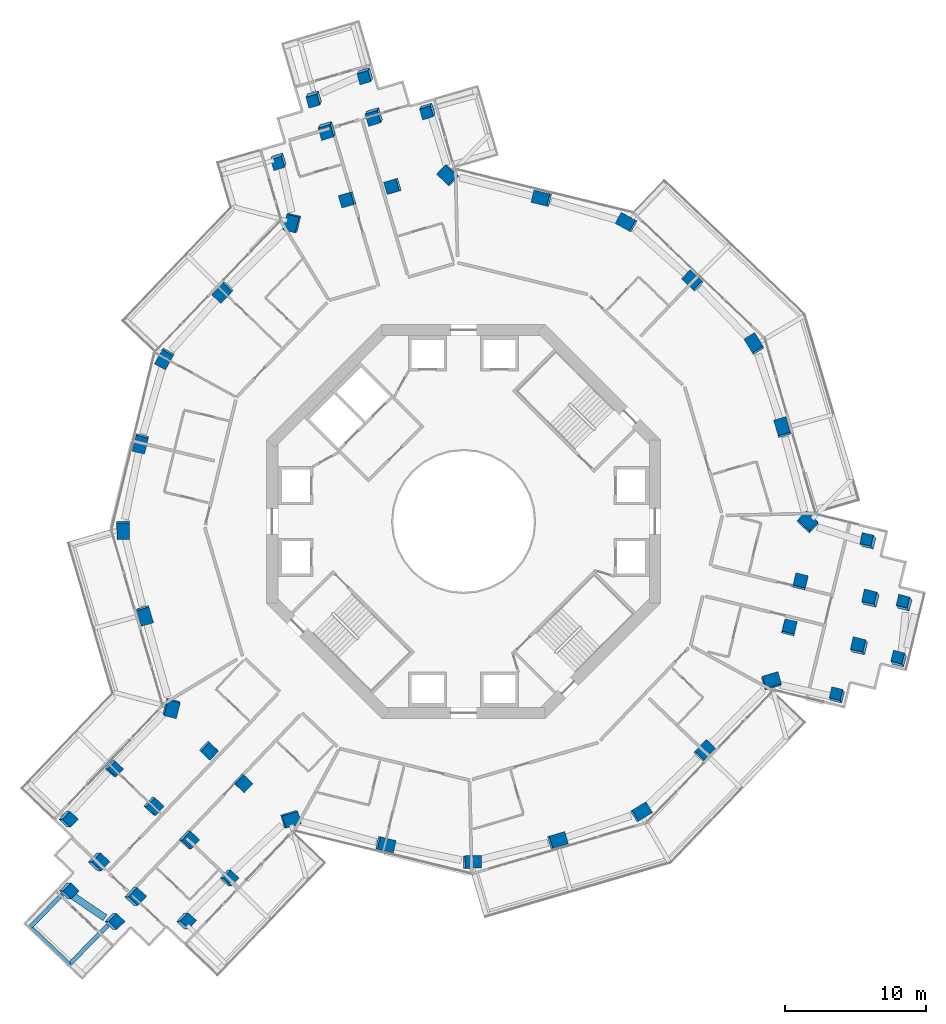
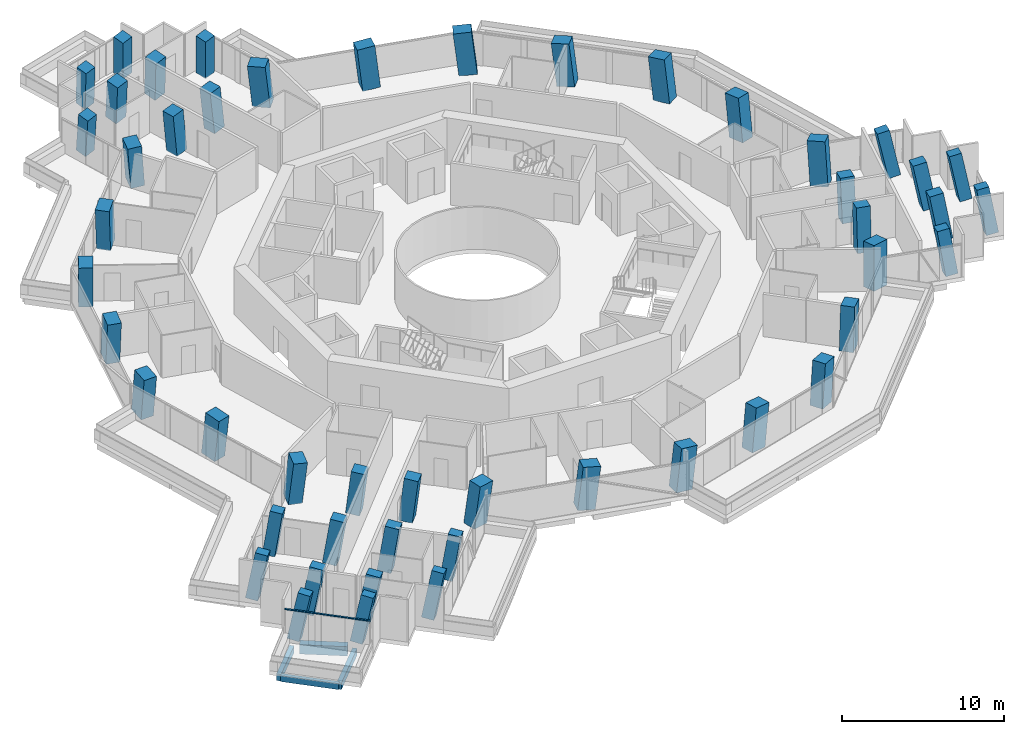
# One storey, part 1 of 25: 49 columns, 4 beams, 1 member, 1 element without a shape of its own.
"""IFC4 building model written with IfcOpenShell, lengths in metres."""

from ifc_helpers import new_model, si_unit, direction, frame, origin, origin_2d, place, context, subcontext, project, spatial, rectangle, extrude, material, layer, layer_set, material_profile, profile_set, type_object, element, aggregate, save


model = new_model("IFC4")

# Units and contexts
model_context = context("Model", 3, precision=1e-05, world=origin(), true_north=direction((0.0, 1.0)))
body_context = subcontext(model_context, "Body", "Model", "MODEL_VIEW")
ifc_project = project(units=[si_unit("LENGTHUNIT", "METRE"), si_unit("AREAUNIT", "SQUARE_METRE"), si_unit("VOLUMEUNIT", "CUBIC_METRE"), si_unit("PLANEANGLEUNIT", "RADIAN"), si_unit("MASSUNIT", "GRAM", prefix="KILO")], contexts=[model_context])

# Site, building, storey
site_placement = place(None, origin())
site = spatial("IfcSite", under=ifc_project, at=site_placement, CompositionType="ELEMENT")
building_placement = place(site_placement, origin())
building = spatial("IfcBuilding", under=site, at=building_placement, Name="Verdalira Terraces Hotel", CompositionType="ELEMENT")
storey_placement = place(building_placement, frame((0.0, 0.0, 100.0)))
storey = spatial("IfcBuildingStorey", under=building, at=storey_placement, Name="L23", CompositionType="ELEMENT", Elevation=100.0)

# Columns
ifc_material_1 = material(Name="Concrete C80", Category="concrete")
ifc_material_profile_1 = material_profile(ifc_material_1, rectangle(XDim=1.149902, YDim=0.899902, at=origin_2d()), Name="RC 1150X900")
ifc_profile_set_1 = profile_set([ifc_material_profile_1], Name="Concrete C80")
column_type_1 = type_object("IfcColumnType", Name="Column RC 1150X900 C80", PredefinedType="COLUMN", material=ifc_profile_set_1)
column_1_placement = place(storey_placement, frame((-12.134766, 21.230469, 0.0), z_axis=(-0.100492101, -0.058531708, 0.993214668), x_axis=(0.229352652, 0.970019569, 0.080370372)))
element("IfcColumn", 1, at=column_1_placement, inside=storey, type_object=column_type_1, Name="Column C03", PredefinedType="COLUMN", context=body_context, shape_type="SweptSolid", body=[
    extrude(rectangle(XDim=1.149902, YDim=0.899902, at=origin_2d()), origin(), (0.0, 0.0, 1.0), 3.21167),
])
column_2_placement = place(storey_placement, frame((-17.07373, 16.304688, 0.0), z_axis=(-0.076886597, -0.0819059, 0.993669902), x_axis=(-0.686204712, -0.718682033, -0.112335337)))
element("IfcColumn", 2, at=column_2_placement, inside=storey, type_object=column_type_1, Name="Column C04", PredefinedType="COLUMN", context=body_context, shape_type="SweptSolid", body=[
    extrude(rectangle(XDim=1.149902, YDim=0.899902, at=origin_2d()), origin(), (0.0, 0.0, 1.0), 3.210205),
])
column_3_placement = place(storey_placement, frame((-21.224609, 11.610596, 0.0), z_axis=(-0.054358694, -0.101418877, 0.993357611), x_axis=(0.47668315, 0.871512169, 0.115063959)))
element("IfcColumn", 3, at=column_3_placement, inside=storey, type_object=column_type_1, Name="Column C05", PredefinedType="COLUMN", context=body_context, shape_type="SweptSolid", body=[
    extrude(rectangle(XDim=1.149902, YDim=0.899902, at=origin_2d()), origin(), (0.0, 0.0, 1.0), 3.211182),
])
column_4_placement = place(storey_placement, frame((-22.938721, 5.583252, 0.0), z_axis=(-0.025629126, -0.109285026, 0.993679994), x_axis=(-0.235079586, -0.965473156, -0.112246039)))
element("IfcColumn", 4, at=column_4_placement, inside=storey, type_object=column_type_1, Name="Column C06", PredefinedType="COLUMN", context=body_context, shape_type="SweptSolid", body=[
    extrude(rectangle(XDim=1.149902, YDim=0.899902, at=origin_2d()), origin(), (0.0, 0.0, 1.0), 3.210205),
])
column_5_placement = place(storey_placement, frame((-24.186279, -0.557373, 0.0), z_axis=(0.003573254, -0.114952338, 0.993364582), x_axis=(-0.022433132, 0.993111719, 0.115003771)))
element("IfcColumn", 5, at=column_5_placement, inside=storey, type_object=column_type_1, Name="Column C07", PredefinedType="COLUMN", context=body_context, shape_type="SweptSolid", body=[
    extrude(rectangle(XDim=1.149902, YDim=0.899902, at=origin_2d()), origin(), (0.0, 0.0, 1.0), 3.211182),
])
column_6_placement = place(storey_placement, frame((-22.656982, -6.634033, 0.0), z_axis=(0.032397695, -0.10745996, 0.993681411), x_axis=(0.278746305, -0.953784116, -0.112233498)))
element("IfcColumn", 6, at=column_6_placement, inside=storey, type_object=column_type_1, Name="Column C08", PredefinedType="COLUMN", context=body_context, shape_type="SweptSolid", body=[
    extrude(rectangle(XDim=1.149902, YDim=0.899902, at=origin_2d()), origin(), (0.0, 0.0, 1.0), 3.210205),
])
column_7_placement = place(storey_placement, frame((-20.78125, -13.218506, 0.0), z_axis=(0.063694576, -0.098278146, 0.993118526), x_axis=(0.242274469, 0.966891915, 0.080144286)))
element("IfcColumn", 7, at=column_7_placement, inside=storey, type_object=column_type_1, Name="Column C09", PredefinedType="COLUMN", context=body_context, shape_type="SweptSolid", body=[
    extrude(rectangle(XDim=1.149902, YDim=0.899902, at=origin_2d()), origin(), (0.0, 0.0, 1.0), 3.212158),
])
column_8_placement = place(storey_placement, frame((-12.318604, -21.124268, 0.0), z_axis=(0.100873219, -0.057696136, 0.993224924), x_axis=(-0.954678171, -0.286600633, 0.080309816)))
element("IfcColumn", 8, at=column_8_placement, inside=storey, type_object=column_type_1, Name="Column C16", PredefinedType="COLUMN", context=body_context, shape_type="SweptSolid", body=[
    extrude(rectangle(XDim=1.149902, YDim=0.899902, at=origin_2d()), origin(), (0.0, 0.0, 1.0), 3.21167),
])
column_9_placement = place(storey_placement, frame((-5.583252, -22.938721, 0.0), z_axis=(0.109285026, -0.025629126, 0.993679994), x_axis=(0.965473156, -0.235079586, -0.112246039)))
element("IfcColumn", 9, at=column_9_placement, inside=storey, type_object=column_type_1, Name="Column C17", PredefinedType="COLUMN", context=body_context, shape_type="SweptSolid", body=[
    extrude(rectangle(XDim=1.149902, YDim=0.899902, at=origin_2d()), origin(), (0.0, 0.0, 1.0), 3.210205),
])
column_10_placement = place(storey_placement, frame((0.557373, -24.186279, 0.0), z_axis=(0.114952338, 0.003573254, 0.993364582), x_axis=(-0.993111719, -0.022433132, 0.115003771)))
element("IfcColumn", 10, at=column_10_placement, inside=storey, type_object=column_type_1, Name="Column C18", PredefinedType="COLUMN", context=body_context, shape_type="SweptSolid", body=[
    extrude(rectangle(XDim=1.149902, YDim=0.899902, at=origin_2d()), origin(), (0.0, 0.0, 1.0), 3.211182),
])
column_11_placement = place(storey_placement, frame((6.634033, -22.656982, 0.0), z_axis=(0.10745996, 0.032397695, 0.993681411), x_axis=(0.953784116, 0.278746305, -0.112233498)))
element("IfcColumn", 11, at=column_11_placement, inside=storey, type_object=column_type_1, Name="Column C19", PredefinedType="COLUMN", context=body_context, shape_type="SweptSolid", body=[
    extrude(rectangle(XDim=1.149902, YDim=0.899902, at=origin_2d()), origin(), (0.0, 0.0, 1.0), 3.210205),
])
column_12_placement = place(storey_placement, frame((12.575684, -20.667236, 0.0), z_axis=(0.097845423, 0.060592698, 0.993355323), x_axis=(-0.848941532, -0.515804242, 0.115083708)))
element("IfcColumn", 12, at=column_12_placement, inside=storey, type_object=column_type_1, Name="Column C20", PredefinedType="COLUMN", context=body_context, shape_type="SweptSolid", body=[
    extrude(rectangle(XDim=1.149902, YDim=0.899902, at=origin_2d()), origin(), (0.0, 0.0, 1.0), 3.211182),
])
column_13_placement = place(storey_placement, frame((17.07373, -16.304688, 0.0), z_axis=(0.076886597, 0.0819059, 0.993669902), x_axis=(0.686204712, 0.718682033, -0.112335337)))
element("IfcColumn", 13, at=column_13_placement, inside=storey, type_object=column_type_1, Name="Column C21", PredefinedType="COLUMN", context=body_context, shape_type="SweptSolid", body=[
    extrude(rectangle(XDim=1.149902, YDim=0.899902, at=origin_2d()), origin(), (0.0, 0.0, 1.0), 3.210205),
])
column_14_placement = place(storey_placement, frame((21.838135, -11.387695, 0.0), z_axis=(0.053281548, 0.104282859, 0.99311941), x_axis=(-0.958545217, -0.27343881, 0.080139158)))
element("IfcColumn", 14, at=column_14_placement, inside=storey, type_object=column_type_1, Name="Column C22", PredefinedType="COLUMN", context=body_context, shape_type="SweptSolid", body=[
    extrude(rectangle(XDim=1.149902, YDim=0.899902, at=origin_2d()), origin(), (0.0, 0.0, 1.0), 3.212158),
])
column_15_placement = place(storey_placement, frame((24.453613, -0.106201, 0.0), z_axis=(-0.000532111, 0.116228153, 0.993222399), x_axis=(0.725905426, -0.683088025, 0.08032473)))
element("IfcColumn", 15, at=column_15_placement, inside=storey, type_object=column_type_1, Name="Column C27", PredefinedType="COLUMN", context=body_context, shape_type="SweptSolid", body=[
    extrude(rectangle(XDim=1.149902, YDim=0.899902, at=origin_2d()), origin(), (0.0, 0.0, 1.0), 3.21167),
])
column_16_placement = place(storey_placement, frame((22.656982, 6.634033, 0.0), z_axis=(-0.032397695, 0.10745996, 0.993681411), x_axis=(-0.278746305, 0.953784116, -0.112233498)))
element("IfcColumn", 16, at=column_16_placement, inside=storey, type_object=column_type_1, Name="Column C28", PredefinedType="COLUMN", context=body_context, shape_type="SweptSolid", body=[
    extrude(rectangle(XDim=1.149902, YDim=0.899902, at=origin_2d()), origin(), (0.0, 0.0, 1.0), 3.210205),
])
column_17_placement = place(storey_placement, frame((20.667236, 12.575684, 0.0), z_axis=(-0.060592698, 0.097845423, 0.993355323), x_axis=(0.515804242, -0.848941532, 0.115083708)))
element("IfcColumn", 17, at=column_17_placement, inside=storey, type_object=column_type_1, Name="Column C29", PredefinedType="COLUMN", context=body_context, shape_type="SweptSolid", body=[
    extrude(rectangle(XDim=1.149902, YDim=0.899902, at=origin_2d()), origin(), (0.0, 0.0, 1.0), 3.211182),
])
column_18_placement = place(storey_placement, frame((16.304688, 17.07373, 0.0), z_axis=(-0.0819059, 0.076886597, 0.993669902), x_axis=(-0.718682033, 0.686204712, -0.112335337)))
element("IfcColumn", 18, at=column_18_placement, inside=storey, type_object=column_type_1, Name="Column C30", PredefinedType="COLUMN", context=body_context, shape_type="SweptSolid", body=[
    extrude(rectangle(XDim=1.149902, YDim=0.899902, at=origin_2d()), origin(), (0.0, 0.0, 1.0), 3.210205),
])
column_19_placement = place(storey_placement, frame((11.610596, 21.224609, 0.0), z_axis=(-0.101418877, 0.054358694, 0.993357611), x_axis=(0.871512169, -0.47668315, 0.115063959)))
element("IfcColumn", 19, at=column_19_placement, inside=storey, type_object=column_type_1, Name="Column C31", PredefinedType="COLUMN", context=body_context, shape_type="SweptSolid", body=[
    extrude(rectangle(XDim=1.149902, YDim=0.899902, at=origin_2d()), origin(), (0.0, 0.0, 1.0), 3.211182),
])
column_20_placement = place(storey_placement, frame((5.583252, 22.938721, 0.0), z_axis=(-0.109285026, 0.025629126, 0.993679994), x_axis=(-0.965473156, 0.235079586, -0.112246039)))
element("IfcColumn", 20, at=column_20_placement, inside=storey, type_object=column_type_1, Name="Column C32", PredefinedType="COLUMN", context=body_context, shape_type="SweptSolid", body=[
    extrude(rectangle(XDim=1.149902, YDim=0.899902, at=origin_2d()), origin(), (0.0, 0.0, 1.0), 3.210205),
])
column_21_placement = place(storey_placement, frame((-1.056885, 24.606445, 0.0), z_axis=(-0.11697585, -0.006004608, 0.993116607), x_axis=(0.716106092, -0.693373762, 0.080155422)))
element("IfcColumn", 21, at=column_21_placement, inside=storey, type_object=column_type_1, Name="Column C33", PredefinedType="COLUMN", context=body_context, shape_type="SweptSolid", body=[
    extrude(rectangle(XDim=1.149902, YDim=0.899902, at=origin_2d()), origin(), (0.0, 0.0, 1.0), 3.212158),
])
ifc_material_2 = material(Name="Concrete C80", Category="concrete")
ifc_material_profile_2 = material_profile(ifc_material_2, rectangle(XDim=0.800049, YDim=0.800049, at=origin_2d()), Name="RC 800X800")
ifc_profile_set_2 = profile_set([ifc_material_profile_2], Name="Concrete C80")
column_type_2 = type_object("IfcColumnType", Name="Column RC 800X800 C80", PredefinedType="COLUMN", material=ifc_profile_set_2)
column_22_placement = place(storey_placement, frame((-2.523926, 29.224854, 0.0), z_axis=(-0.090056147, -0.164852363, 0.982198345), x_axis=(-0.295793489, 0.946132677, 0.131678277)))
element("IfcColumn", 22, at=column_22_placement, inside=storey, type_object=column_type_2, Name="Column C01", PredefinedType="COLUMN", context=body_context, shape_type="SweptSolid", body=[
    extrude(rectangle(XDim=0.800049, YDim=0.800049, at=origin_2d()), origin(), (0.0, 0.0, 1.0), 3.247803),
])
column_23_placement = place(storey_placement, frame((-13.116211, 25.685791, 0.0), z_axis=(-0.072487928, -0.212765492, 0.974410768), x_axis=(0.299246884, -0.936608923, -0.182249907)))
element("IfcColumn", 23, at=column_23_placement, inside=storey, type_object=column_type_2, Name="Column C02", PredefinedType="COLUMN", context=body_context, shape_type="SweptSolid", body=[
    extrude(rectangle(XDim=0.800049, YDim=0.800049, at=origin_2d()), origin(), (0.0, 0.0, 1.0), 3.273682),
])
column_24_placement = place(storey_placement, frame((-24.890869, -17.521973, 0.0), z_axis=(0.138245455, -0.058340036, 0.988678226), x_axis=(-0.684222633, -0.727362667, 0.052753569)))
element("IfcColumn", 24, at=column_24_placement, inside=storey, type_object=column_type_2, Name="Column C10", PredefinedType="COLUMN", context=body_context, shape_type="SweptSolid", body=[
    extrude(rectangle(XDim=0.800049, YDim=0.800049, at=origin_2d()), origin(), (0.0, 0.0, 1.0), 3.226562),
])
column_25_placement = place(storey_placement, frame((-28.191406, -21.137451, 0.0), z_axis=(0.207511804, -0.014822272, 0.978120213), x_axis=(-0.668905203, -0.731745479, 0.130821951)))
element("IfcColumn", 25, at=column_25_placement, inside=storey, type_object=column_type_2, Name="Column C11", PredefinedType="COLUMN", context=body_context, shape_type="SweptSolid", body=[
    extrude(rectangle(XDim=0.800049, YDim=0.800049, at=origin_2d()), origin(), (0.0, 0.0, 1.0), 3.26123),
])
column_26_placement = place(storey_placement, frame((-28.158691, -26.229248, 0.0), z_axis=(0.230119424, -0.014447627, 0.973055146), x_axis=(0.693431934, -0.699104372, -0.174370957)))
element("IfcColumn", 26, at=column_26_placement, inside=storey, type_object=column_type_2, Name="Column C12", PredefinedType="COLUMN", context=body_context, shape_type="SweptSolid", body=[
    extrude(rectangle(XDim=0.800049, YDim=0.800049, at=origin_2d()), origin(), (0.0, 0.0, 1.0), 3.27832),
])
column_27_placement = place(storey_placement, frame((-24.925537, -28.418213, 0.0), z_axis=(0.239632224, 0.000743046, 0.970863453), x_axis=(0.692289545, -0.701227879, -0.170336867)))
element("IfcColumn", 27, at=column_27_placement, inside=storey, type_object=column_type_2, Name="Column C13", PredefinedType="COLUMN", context=body_context, shape_type="SweptSolid", body=[
    extrude(rectangle(XDim=0.800049, YDim=0.800049, at=origin_2d()), origin(), (0.0, 0.0, 1.0), 3.285645),
])
column_28_placement = place(storey_placement, frame((-19.833496, -28.399658, 0.0), z_axis=(0.239281044, 0.024366403, 0.970644559), x_axis=(0.657980053, 0.731068936, -0.180555974)))
element("IfcColumn", 28, at=column_28_placement, inside=storey, type_object=column_type_2, Name="Column C14", PredefinedType="COLUMN", context=body_context, shape_type="SweptSolid", body=[
    extrude(rectangle(XDim=0.800049, YDim=0.800049, at=origin_2d()), origin(), (0.0, 0.0, 1.0), 3.286377),
])
column_29_placement = place(storey_placement, frame((-16.73291, -25.312256, 0.0), z_axis=(0.173989164, -0.019365619, 0.984557131), x_axis=(0.676156437, 0.729216572, -0.105145917)))
element("IfcColumn", 29, at=column_29_placement, inside=storey, type_object=column_type_2, Name="Column C15", PredefinedType="COLUMN", context=body_context, shape_type="SweptSolid", body=[
    extrude(rectangle(XDim=0.800049, YDim=0.800049, at=origin_2d()), origin(), (0.0, 0.0, 1.0), 3.23999),
])
column_30_placement = place(storey_placement, frame((26.571289, -12.426514, 0.0), z_axis=(-0.097649381, 0.160418613, 0.982206937), x_axis=(0.967186153, -0.217301794, 0.131646781)))
element("IfcColumn", 30, at=column_30_placement, inside=storey, type_object=column_type_2, Name="Column C23", PredefinedType="COLUMN", context=body_context, shape_type="SweptSolid", body=[
    extrude(rectangle(XDim=0.800049, YDim=0.800049, at=origin_2d()), origin(), (0.0, 0.0, 1.0), 3.247803),
])
column_31_placement = place(storey_placement, frame((30.964844, -9.852539, 0.0), z_axis=(-0.109455477, 0.180081568, 0.977542903), x_axis=(0.255562287, 0.955489453, -0.147403604)))
element("IfcColumn", 31, at=column_31_placement, inside=storey, type_object=column_type_2, Name="Column C24", PredefinedType="COLUMN", context=body_context, shape_type="SweptSolid", body=[
    extrude(rectangle(XDim=0.800049, YDim=0.800049, at=origin_2d()), origin(), (0.0, 0.0, 1.0), 3.263184),
])
column_32_placement = place(storey_placement, frame((31.364502, -5.884521, 0.0), z_axis=(-0.127689135, 0.181346931, 0.975094239), x_axis=(0.257908053, 0.955391802, -0.14390949)))
element("IfcColumn", 32, at=column_32_placement, inside=storey, type_object=column_type_2, Name="Column C25", PredefinedType="COLUMN", context=body_context, shape_type="SweptSolid", body=[
    extrude(rectangle(XDim=0.800049, YDim=0.800049, at=origin_2d()), origin(), (0.0, 0.0, 1.0), 3.271484),
])
column_33_placement = place(storey_placement, frame((28.802734, -1.483887, 0.0), z_axis=(-0.148033616, 0.16913866, 0.974411701), x_axis=(-0.960775684, 0.209036484, -0.182246631)))
element("IfcColumn", 33, at=column_33_placement, inside=storey, type_object=column_type_2, Name="Column C26", PredefinedType="COLUMN", context=body_context, shape_type="SweptSolid", body=[
    extrude(rectangle(XDim=0.800049, YDim=0.800049, at=origin_2d()), origin(), (0.0, 0.0, 1.0), 3.273682),
])
column_34_placement = place(storey_placement, frame((-6.949707, 31.742676, 0.0), z_axis=(-0.101299101, -0.184867119, 0.977528844), x_axis=(-0.955310437, -0.256204407, -0.147449213)))
element("IfcColumn", 34, at=column_34_placement, inside=storey, type_object=column_type_2, Name="Column C34", PredefinedType="COLUMN", context=body_context, shape_type="SweptSolid", body=[
    extrude(rectangle(XDim=0.800049, YDim=0.800049, at=origin_2d()), origin(), (0.0, 0.0, 1.0), 3.263184),
])
column_35_placement = place(storey_placement, frame((-10.585938, 30.104736, 0.0), z_axis=(-0.093284448, -0.201270526, 0.975083682), x_axis=(-0.956418551, -0.254056974, -0.143939603)))
element("IfcColumn", 35, at=column_35_placement, inside=storey, type_object=column_type_2, Name="Column C35", PredefinedType="COLUMN", context=body_context, shape_type="SweptSolid", body=[
    extrude(rectangle(XDim=0.800049, YDim=0.800049, at=origin_2d()), origin(), (0.0, 0.0, 1.0), 3.271484),
])
ifc_material_3 = material(Name="Concrete C80", Category="concrete")
ifc_material_profile_3 = material_profile(ifc_material_3, rectangle(XDim=0.899902, YDim=0.899902, at=origin_2d()), Name="RC 900X900")
ifc_profile_set_3 = profile_set([ifc_material_profile_3], Name="Concrete C80")
column_type_3 = type_object("IfcColumnType", Name="Column RC 900X900 C80", PredefinedType="COLUMN", material=ifc_profile_set_3)
for number, where, z_axis, x_axis, name in (
    (36, (-4.987061, 23.81665, 0.0), (-0.11304238, -0.02470664, 0.993282942), (-0.280469194, 0.959829314, -0.008044785), "Column C36"),
    (37, (-8.208252, 22.873291, 0.0), (-0.108407543, -0.039911613, 0.993305022), (-0.281714768, 0.959466442, 0.007806109), "Column C37"),
):
    element("IfcColumn", number, at=place(storey_placement, frame(where, z_axis=z_axis, x_axis=x_axis)), inside=storey, type_object=column_type_3, Name=name, PredefinedType="COLUMN", context=body_context, shape_type="SweptSolid", body=[
        extrude(rectangle(XDim=0.899902, YDim=0.899902, at=origin_2d()), origin(), (0.0, 0.0, 1.0), 3.211426),
    ])
column_36_placement = place(storey_placement, frame((-6.331787, 28.849609, 0.0), z_axis=(-0.087919774, -0.182135594, 0.979334845), x_axis=(-0.297462932, 0.943083981, 0.148688968)))
element("IfcColumn", 38, at=column_36_placement, inside=storey, type_object=column_type_3, Name="Column C38", PredefinedType="COLUMN", context=body_context, shape_type="SweptSolid", body=[
    extrude(rectangle(XDim=0.899902, YDim=0.899902, at=origin_2d()), origin(), (0.0, 0.0, 1.0), 3.257324),
])
column_37_placement = place(storey_placement, frame((-9.671631, 27.871826, 0.0), z_axis=(-0.082984589, -0.197293991, 0.976825798), x_axis=(-0.298936703, 0.939994661, 0.164459373)))
element("IfcColumn", 39, at=column_37_placement, inside=storey, type_object=column_type_3, Name="Column C39", PredefinedType="COLUMN", context=body_context, shape_type="SweptSolid", body=[
    extrude(rectangle(XDim=0.899902, YDim=0.899902, at=origin_2d()), origin(), (0.0, 0.0, 1.0), 3.265625),
])
for number, where, z_axis, x_axis, name in (
    (40, (-18.132324, -16.227295, 0.0), (0.077921063, -0.085523118, 0.993284503), (-0.69089776, -0.722907727, -0.008043853), "Column C40"),
    (41, (-15.704834, -18.545166, 0.0), (0.088793361, -0.073969127, 0.993299707), (-0.690162464, -0.72361232, 0.007809197), "Column C41"),
):
    element("IfcColumn", number, at=place(storey_placement, frame(where, z_axis=z_axis, x_axis=x_axis)), inside=storey, type_object=column_type_3, Name=name, PredefinedType="COLUMN", context=body_context, shape_type="SweptSolid", body=[
        extrude(rectangle(XDim=0.899902, YDim=0.899902, at=origin_2d()), origin(), (0.0, 0.0, 1.0), 3.211426),
    ])
column_38_placement = place(storey_placement, frame((-22.08374, -20.202637, 0.0), z_axis=(0.1505633, -0.044896888, 0.987580357), x_axis=(-0.681725803, -0.728171029, 0.070829956)))
element("IfcColumn", 42, at=column_38_placement, inside=storey, type_object=column_type_3, Name="Column C42", PredefinedType="COLUMN", context=body_context, shape_type="SweptSolid", body=[
    extrude(rectangle(XDim=0.899902, YDim=0.899902, at=origin_2d()), origin(), (0.0, 0.0, 1.0), 3.22998),
])
column_39_placement = place(storey_placement, frame((-19.575195, -22.598145, 0.0), z_axis=(0.161616285, -0.032912051, 0.986304706), x_axis=(-0.679178755, -0.728801928, 0.086971076)))
element("IfcColumn", 43, at=column_39_placement, inside=storey, type_object=column_type_3, Name="Column C43", PredefinedType="COLUMN", context=body_context, shape_type="SweptSolid", body=[
    extrude(rectangle(XDim=0.899902, YDim=0.899902, at=origin_2d()), origin(), (0.0, 0.0, 1.0), 3.234131),
])
column_40_placement = place(storey_placement, frame((-26.035156, -24.177979, 0.0), z_axis=(0.220941177, -0.004627822, 0.975276156), x_axis=(-0.665106241, -0.732096742, 0.14720071)))
element("IfcColumn", 44, at=column_40_placement, inside=storey, type_object=column_type_3, Name="Column C44", PredefinedType="COLUMN", context=body_context, shape_type="SweptSolid", body=[
    extrude(rectangle(XDim=0.899902, YDim=0.899902, at=origin_2d()), origin(), (0.0, 0.0, 1.0), 3.270752),
])
column_41_placement = place(storey_placement, frame((-23.445557, -26.651123, 0.0), z_axis=(0.231828689, 0.007519171, 0.972727568), x_axis=(-0.661441159, -0.732003514, 0.163298647)))
element("IfcColumn", 45, at=column_41_placement, inside=storey, type_object=column_type_3, Name="Column C45", PredefinedType="COLUMN", context=body_context, shape_type="SweptSolid", body=[
    extrude(rectangle(XDim=0.899902, YDim=0.899902, at=origin_2d()), origin(), (0.0, 0.0, 1.0), 3.279297),
])
for number, where, z_axis, x_axis, name in (
    (46, (23.119385, -7.589355, 0.0), (0.035121525, 0.110229895, 0.993285381), (0.971464185, -0.237049872, -0.008043329), "Column C46"),
    (47, (23.913086, -4.328125, 0.0), (0.019613624, 0.113880653, 0.993300812), (0.971845608, -0.235489153, 0.007808555), "Column C47"),
):
    element("IfcColumn", number, at=place(storey_placement, frame(where, z_axis=z_axis, x_axis=x_axis)), inside=storey, type_object=column_type_3, Name=name, PredefinedType="COLUMN", context=body_context, shape_type="SweptSolid", body=[
        extrude(rectangle(XDim=0.899902, YDim=0.899902, at=origin_2d()), origin(), (0.0, 0.0, 1.0), 3.211426),
    ])
column_42_placement = place(storey_placement, frame((28.150391, -8.941406, 0.0), z_axis=(-0.113778258, 0.167219561, 0.97933249), x_axis=(0.965462209, -0.213943501, 0.148697351)))
element("IfcColumn", 48, at=column_42_placement, inside=storey, type_object=column_type_3, Name="Column C48", PredefinedType="COLUMN", context=body_context, shape_type="SweptSolid", body=[
    extrude(rectangle(XDim=0.899902, YDim=0.899902, at=origin_2d()), origin(), (0.0, 0.0, 1.0), 3.257324),
])
column_43_placement = place(storey_placement, frame((28.973389, -5.559814, 0.0), z_axis=(-0.129338192, 0.17045727, 0.976839778), x_axis=(0.963543323, -0.211077009, 0.164410342)))
element("IfcColumn", 49, at=column_43_placement, inside=storey, type_object=column_type_3, Name="Column C49", PredefinedType="COLUMN", context=body_context, shape_type="SweptSolid", body=[
    extrude(rectangle(XDim=0.899902, YDim=0.899902, at=origin_2d()), origin(), (0.0, 0.0, 1.0), 3.265625),
])

# Beams
ifc_material_4 = material(Name="Concrete C40", Category="concrete")
ifc_material_profile_4 = material_profile(ifc_material_4, rectangle(XDim=0.300049, YDim=0.5, at=origin_2d()), Name="RC 300X500")
ifc_profile_set_4 = profile_set([ifc_material_profile_4], Name="Concrete C40")
beam_type_1 = type_object("IfcBeamType", Name="Balcony cantilever beam RC 300X500 C40", PredefinedType="BEAM", material=ifc_profile_set_4)
beam_1_placement = place(storey_placement, frame((-28.513428, -26.50708, -0.560059), z_axis=(-0.702636029, -0.711549443, 0.0), x_axis=(0.711549443, -0.702636029, 0.0)))
element("IfcBeam", 50, at=beam_1_placement, inside=storey, type_object=beam_type_1, Name="Balcony cantilever beam R19-1", PredefinedType="BEAM", context=body_context, shape_type="SweptSolid", body=[
    extrude(rectangle(XDim=0.300049, YDim=0.5, at=origin_2d()), origin(), (0.0, 0.0, 1.0), 3.20459),
])
beam_2_placement = place(storey_placement, frame((-25.283447, -28.700684, -0.560059), z_axis=(-0.702620783, -0.711564498, 0.0), x_axis=(0.711564498, -0.702620783, 0.0)))
element("IfcBeam", 51, at=beam_2_placement, inside=storey, type_object=beam_type_1, Name="Balcony cantilever beam R19-2", PredefinedType="BEAM", context=body_context, shape_type="SweptSolid", body=[
    extrude(rectangle(XDim=0.300049, YDim=0.5, at=origin_2d()), origin(), (0.0, 0.0, 1.0), 3.848877),
])
ifc_material_5 = material(Name="Concrete C40", Category="concrete")
ifc_material_profile_5 = material_profile(ifc_material_5, rectangle(XDim=0.25, YDim=0.449951, at=origin_2d()), Name="RC 250X450")
ifc_profile_set_5 = profile_set([ifc_material_profile_5], Name="Concrete C40")
beam_type_2 = type_object("IfcBeamType", Name="Balcony edge beam RC 250X450 C40", PredefinedType="BEAM", material=ifc_profile_set_5)
beam_3_placement = place(storey_placement, frame((-30.656494, -28.890869, -0.534912), z_axis=(0.723194809, -0.690644096, 0.0), x_axis=(0.690644096, 0.723194809, 0.0)))
element("IfcBeam", 52, at=beam_3_placement, inside=storey, type_object=beam_type_2, Name="Balcony edge beam R19-1", PredefinedType="BEAM", context=body_context, shape_type="SweptSolid", body=[
    extrude(rectangle(XDim=0.25, YDim=0.449951, at=origin_2d()), origin(), (0.0, 0.0, 1.0), 3.690186),
])

# Curtain wall, member
ifc_material_6 = material(Name="Clear glass", Category="glass")
ifc_layer = layer(ifc_material_6, 0.14990234375)
ifc_layer_set = layer_set([ifc_layer], Name="CW3 curtain wall")
curtain_wall_type = type_object("IfcCurtainWallType", Name="CW3 curtain wall", PredefinedType="NOTDEFINED", material=ifc_layer_set)
curtain_wall_placement = place(storey_placement, origin())
curtain_wall = element("IfcCurtainWall", 53, at=curtain_wall_placement, inside=storey, type_object=curtain_wall_type, Name="CW3 curtain wall L23 edge 19", PredefinedType="NOTDEFINED")
ifc_material_7 = material(Name="Terracotta frame", Category="masonry")
ifc_material_profile_6 = material_profile(ifc_material_7, rectangle(XDim=0.120117, YDim=0.064941, at=origin_2d()), Name="TR 65x120")
ifc_profile_set_6 = profile_set([ifc_material_profile_6], Name="Terracotta frame")
member_type = type_object("IfcMemberType", Name="CW3 transom 65x120", PredefinedType="USERDEFINED", material=ifc_profile_set_6)
member_placement = place(storey_placement, frame((-28.91748, -26.299805, 2.45752), z_axis=(0.723210407, -0.690627763, 0.0), x_axis=(0.690627763, 0.723210407, 0.0)))
member = element("IfcMember", 54, at=member_placement, type_object=member_type, Name="CW3 transom", ObjectType="TRANSOM", PredefinedType="USERDEFINED", context=body_context, shape_type="SweptSolid", body=[
    extrude(rectangle(XDim=0.120117, YDim=0.064941, at=origin_2d()), origin(), (0.0, 0.0, 1.0), 5.499756),
])
aggregate(curtain_wall, [member])

# Beam
ifc_material_8 = material(Name="Concrete C70", Category="concrete")
ifc_material_profile_7 = material_profile(ifc_material_8, rectangle(XDim=0.5, YDim=0.699951, at=origin_2d()), Name="RC 500X700")
ifc_profile_set_7 = profile_set([ifc_material_profile_7], Name="Concrete C70")
beam_type_3 = type_object("IfcBeamType", Name="Spandrel beam RC 500X700 C70", PredefinedType="SPANDREL", material=ifc_profile_set_7)
beam_4_placement = place(storey_placement, frame((-27.930908, -26.477051, -0.659912), z_axis=(0.826296818, -0.563234914, 0.0), x_axis=(0.563234914, 0.826296818, 0.0)))
element("IfcBeam", 55, at=beam_4_placement, inside=storey, type_object=beam_type_3, Name="Spandrel beam B12", PredefinedType="SPANDREL", context=body_context, shape_type="SweptSolid", body=[
    extrude(rectangle(XDim=0.5, YDim=0.699951, at=origin_2d()), origin(), (0.0, 0.0, 1.0), 2.973633),
])

save(model, "model.ifc")
